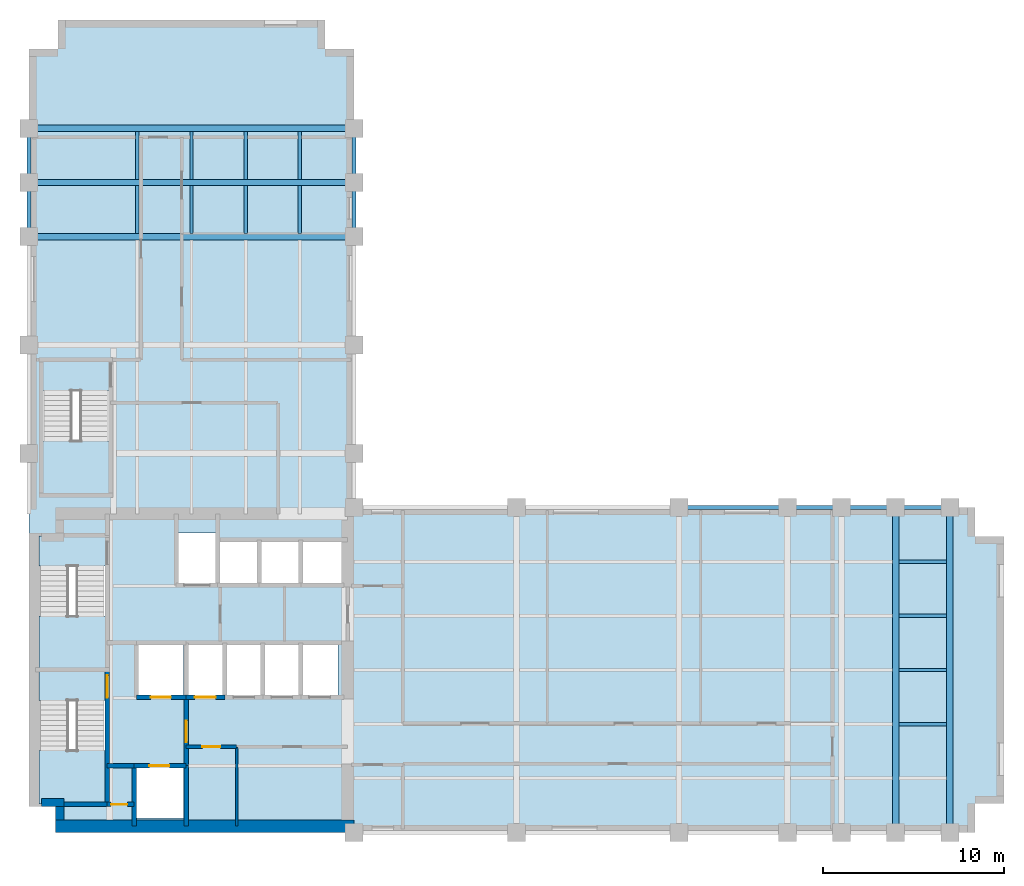
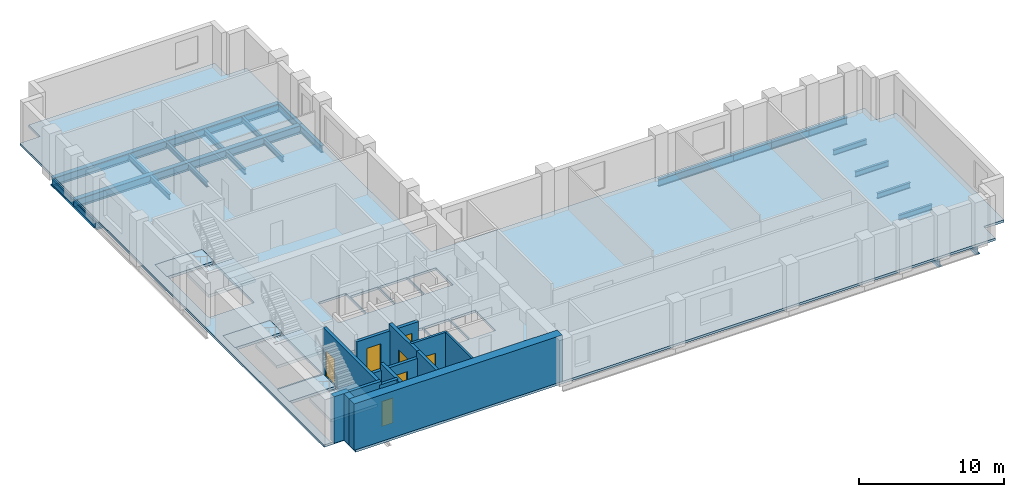
# One storey, part 2 of 7: 25 beams, 15 walls, 7 doors, 7 slabs, 7 openings, 3 elements without a shape of their own.
"""IFC4 building model written with IfcOpenShell, lengths in metres."""

import ifcopenshell
import ifcopenshell.guid

model = None  # the IFC model being written
_history = None  # IfcOwnerHistory: only IFC2X3 demands one
_inside = {}  # id of a spatial element -> (the spatial element, [elements in it])
_under = {}  # id of a project, library or spatial element -> (it, [spatial elements below it])
_declared = {}  # id of a project -> (the project, [libraries it declares])
_typed = {}  # id of a type object -> (the type object, [elements of that type])
_made_of = {}  # id of a material, layer set ... -> (it, [elements and type objects made of it])


def new_model(schema):
    """Start an empty IFC model of exactly this schema.

    Asked for "IFC4X3", IfcOpenShell would pick the latest addendum, in which some entities
    have other attributes; the version numbers below select the first issue.
    IFC2X3 requires an IfcOwnerHistory on every rooted entity: one is made here for all.
    """
    global model, _history
    if schema == "IFC4X3":
        model = ifcopenshell.file(schema_version=(4, 3, 0, 0))
    else:
        model = ifcopenshell.file(schema=schema)
    _inside.clear()
    _under.clear()
    _declared.clear()
    _typed.clear()
    _made_of.clear()
    _history = None
    if model.schema == "IFC2X3":
        org = make("IfcOrganization", Name="unknown")
        user = make(
            "IfcPersonAndOrganization",
            ThePerson=make("IfcPerson", FamilyName="unknown"),
            TheOrganization=org,
        )
        app = make(
            "IfcApplication",
            ApplicationDeveloper=org,
            Version="unknown",
            ApplicationFullName="unknown",
            ApplicationIdentifier="unknown",
        )
        _history = make(
            "IfcOwnerHistory",
            OwningUser=user,
            OwningApplication=app,
            ChangeAction="ADDED",
            CreationDate=0,
        )
    return model


def make(cls, **values):
    """One entity of the class cls with the attributes given. An attribute that is None is left unset."""
    return model.create_entity(
        cls, **{name: value for name, value in values.items() if value is not None}
    )


def rooted(cls, **values):
    """An entity with a GlobalId (a new one), such as an element, a storey or a relation."""
    return make(cls, GlobalId=ifcopenshell.guid.new(), OwnerHistory=_history, **values)


def si_unit(unit_type, name, prefix=None):
    """IfcSIUnit, for example si_unit("LENGTHUNIT", "METRE", prefix="MILLI")."""
    return make("IfcSIUnit", UnitType=unit_type, Prefix=prefix, Name=name)


def assignment(units):
    """IfcUnitAssignment: the units of a project."""
    return None if units is None else make("IfcUnitAssignment", Units=units)


def point(xyz):
    """IfcCartesianPoint."""
    return None if xyz is None else make("IfcCartesianPoint", Coordinates=xyz)


def direction(xyz):
    """IfcDirection."""
    return None if xyz is None else make("IfcDirection", DirectionRatios=xyz)


def frame(location, z_axis=None, x_axis=None):
    """IfcAxis2Placement3D, a coordinate frame: its origin and axes. An axis left out is left unset."""
    return make(
        "IfcAxis2Placement3D",
        Location=point(location),
        Axis=direction(z_axis),
        RefDirection=direction(x_axis),
    )


def frame_2d(location, x_axis=None):
    """IfcAxis2Placement2D, a coordinate frame in the plane: its origin and x axis."""
    return make(
        "IfcAxis2Placement2D", Location=point(location), RefDirection=direction(x_axis)
    )


def origin():
    """The frame at (0, 0, 0) with its axes left unset."""
    return frame((0.0, 0.0, 0.0))


def origin_2d():
    """The frame at (0, 0) in the plane with its x axis left unset."""
    return frame_2d((0.0, 0.0))


def place(relative_to, where):
    """IfcLocalPlacement: puts the frame where relative to a parent placement (None: the world)."""
    return make(
        "IfcLocalPlacement", PlacementRelTo=relative_to, RelativePlacement=where
    )


def context(
    kind, dimensions, precision=None, world=None, true_north=None, identifier=None
):
    """IfcGeometricRepresentationContext, for example the 3D "Model" context."""
    return make(
        "IfcGeometricRepresentationContext",
        ContextIdentifier=identifier,
        ContextType=kind,
        CoordinateSpaceDimension=dimensions,
        Precision=precision,
        WorldCoordinateSystem=world,
        TrueNorth=true_north,
    )


def subcontext(parent, identifier, kind, view, scale=None):
    """IfcGeometricRepresentationSubContext, for example "Body" below "Model"."""
    return make(
        "IfcGeometricRepresentationSubContext",
        ContextIdentifier=identifier,
        ContextType=kind,
        ParentContext=parent,
        TargetScale=scale,
        TargetView=view,
    )


def project(units=None, contexts=None):
    """IfcProject with its units and contexts."""
    return rooted(
        "IfcProject",
        Name="project",
        RepresentationContexts=contexts,
        UnitsInContext=assignment(units),
    )


def spatial(cls, under=None, at=None, **own):
    """A site, building, storey or space (cls), placed at a placement, below another one or the project."""
    s = rooted(cls, ObjectPlacement=at, **own)
    if under is not None:
        _under.setdefault(under.id(), (under, []))[1].append(s)
    return s


def polyline(points):
    """IfcPolyline through the points."""
    return make("IfcPolyline", Points=[point(p) for p in points])


def profile(cls, at=None, kind="AREA", **sizes):
    """A parametric profile (cls). Its sizes go by their IFC names, for example OverallWidth=200.0."""
    return make(cls, ProfileType=kind, Position=at, **sizes)


def rectangle(**sizes):
    """IfcRectangleProfileDef."""
    return profile("IfcRectangleProfileDef", **sizes)


def i_section(**sizes):
    """IfcIShapeProfileDef."""
    return profile("IfcIShapeProfileDef", **sizes)


def outline(outer, holes=None, kind="AREA"):
    """IfcArbitraryClosedProfileDef: a profile drawn as a closed curve; with holes, ...WithVoids."""
    if holes is None:
        return make("IfcArbitraryClosedProfileDef", ProfileType=kind, OuterCurve=outer)
    return make(
        "IfcArbitraryProfileDefWithVoids",
        ProfileType=kind,
        OuterCurve=outer,
        InnerCurves=holes,
    )


def extrude(swept, where, along, depth):
    """IfcExtrudedAreaSolid: the profile swept, set in the frame where, extruded along a direction by depth."""
    return make(
        "IfcExtrudedAreaSolid",
        SweptArea=swept,
        Position=where,
        ExtrudedDirection=direction(along),
        Depth=depth,
    )


def shape(context_of_items, identifier, shape_type, items):
    """IfcShapeRepresentation: the items that make up one representation, for example the "Body"."""
    return make(
        "IfcShapeRepresentation",
        ContextOfItems=context_of_items,
        RepresentationIdentifier=identifier,
        RepresentationType=shape_type,
        Items=items,
    )


def material(Name=None, Category=None):
    """IfcMaterial."""
    return make("IfcMaterial", Name=Name, Category=Category)


def layer(
    of_material, thickness, ventilated=None, Name=None, Category=None, Priority=None
):
    """IfcMaterialLayer: one layer of a wall or slab, of a material (None: an air gap)."""
    return make(
        "IfcMaterialLayer",
        Material=of_material,
        LayerThickness=thickness,
        IsVentilated=ventilated,
        Name=Name,
        Category=Category,
        Priority=Priority,
    )


def layer_set(layers, Name=None):
    """IfcMaterialLayerSet."""
    return make("IfcMaterialLayerSet", MaterialLayers=layers, LayerSetName=Name)


def material_profile(
    of_material, cross_section, Name=None, Category=None, Priority=None
):
    """IfcMaterialProfile: a cross section and its material."""
    return make(
        "IfcMaterialProfile",
        Name=Name,
        Material=of_material,
        Profile=cross_section,
        Priority=Priority,
        Category=Category,
    )


def profile_set(profiles, Name=None, composite=None):
    """IfcMaterialProfileSet."""
    return make(
        "IfcMaterialProfileSet",
        Name=Name,
        MaterialProfiles=profiles,
        CompositeProfile=composite,
    )


def made_of(thing, what):
    """Note that an element or type object is made of a material, layer set ...; save() writes the relation."""
    if what is not None:
        _made_of.setdefault(what.id(), (what, []))[1].append(thing)
    return thing


def type_object(cls, material=None, **own):
    """A type object (cls), such as IfcWallType, which elements share."""
    return made_of(rooted(cls, **own), material)


def element(
    cls,
    number,
    at=None,
    inside=None,
    cuts=None,
    type_object=None,
    material=None,
    context=None,
    identifier="Body",
    shape_type=None,
    held_by="IfcProductDefinitionShape",
    body=None,
    shapes=None,
    **own,
):
    """One element of the class cls, such as IfcWall. Its Tag is "e" and its number.

    at: its placement. inside: the storey or other place that contains it. cuts: it is an
    opening in that element (IfcRelVoidsElement). A single representation is given by context,
    identifier, shape_type and body (its items); several are given by shapes. held_by: the class
    of the entity that holds the representations. save() writes the other relations.
    """
    e = rooted(cls, Tag="e%d" % number, ObjectPlacement=at, **own)
    if body is not None:
        shapes = [shape(context, identifier, shape_type, body)]
    if shapes is not None:
        e.Representation = make(held_by, Representations=shapes)
    if inside is not None:
        _inside.setdefault(inside.id(), (inside, []))[1].append(e)
    if cuts is not None:
        rooted(
            "IfcRelVoidsElement", RelatingBuildingElement=cuts, RelatedOpeningElement=e
        )
    if type_object is not None:
        _typed.setdefault(type_object.id(), (type_object, []))[1].append(e)
    return made_of(e, material)


def fill(opening, filler):
    """IfcRelFillsElement: the door or window that sits in an opening."""
    return rooted(
        "IfcRelFillsElement",
        RelatingOpeningElement=opening,
        RelatedBuildingElement=filler,
    )


def aggregate(whole, parts):
    """IfcRelAggregates: a whole, such as a stair, and the parts it consists of."""
    return rooted("IfcRelAggregates", RelatingObject=whole, RelatedObjects=parts)


def save(model, path):
    """Write the relations noted so far, then the file.

    IfcRelAggregates (storeys below a building ...), IfcRelContainedInSpatialStructure (elements
    in a storey), IfcRelDefinesByType, IfcRelAssociatesMaterial and IfcRelDeclares: one each for
    every whole, place, type object, material and project.
    """
    for whole, parts in _under.values():
        aggregate(whole, parts)
    for where, things in _inside.values():
        rooted(
            "IfcRelContainedInSpatialStructure",
            RelatedElements=things,
            RelatingStructure=where,
        )
    for kind, things in _typed.values():
        rooted("IfcRelDefinesByType", RelatedObjects=things, RelatingType=kind)
    for what, things in _made_of.values():
        rooted("IfcRelAssociatesMaterial", RelatedObjects=things, RelatingMaterial=what)
    for by, libraries in _declared.values():
        rooted("IfcRelDeclares", RelatingContext=by, RelatedDefinitions=libraries)
    model.write(path)


model = new_model("IFC4")

# Units and contexts
model_context = context("Model", 3, precision=1e-05, world=origin(), true_north=direction((0.0, 1.0)))
body_context = subcontext(model_context, "Body", "Model", "MODEL_VIEW")
ifc_project = project(units=[si_unit("LENGTHUNIT", "METRE"), si_unit("AREAUNIT", "SQUARE_METRE"), si_unit("VOLUMEUNIT", "CUBIC_METRE"), si_unit("PLANEANGLEUNIT", "RADIAN"), si_unit("MASSUNIT", "GRAM", prefix="KILO")], contexts=[model_context])

# Site, building, storey
site_placement = place(None, origin())
site = spatial("IfcSite", under=ifc_project, at=site_placement, CompositionType="ELEMENT")
building_placement = place(site_placement, origin())
building = spatial("IfcBuilding", under=site, at=building_placement, Name="Mawjdan Bourse Tower", CompositionType="ELEMENT")
storey_placement = place(building_placement, frame((0.0, 0.0, 151.800048828125)))
storey = spatial("IfcBuildingStorey", under=building, at=storey_placement, Name="L36", CompositionType="ELEMENT", Elevation=151.800048828125)

# Beams
ifc_material_1 = material(Name="Structural Steel S355", Category="steel")
ifc_material_profile_1 = material_profile(ifc_material_1, i_section(OverallWidth=0.35498046875, OverallDepth=0.696044921875, WebThickness=0.015380859375, FlangeThickness=0.02490234375, FilletRadius=0.019775390625, at=origin_2d()), Name="W27X146")
ifc_profile_set_1 = profile_set([ifc_material_profile_1], Name="Structural Steel S355")
beam_type_1 = type_object("IfcBeamType", Name="GRD-W27X146", PredefinedType="BEAM", material=ifc_profile_set_1)
for number, where, z_axis, x_axis, name in (
    (1, (54.0, 3.0, -0.548095703125), (0.0, 1.0, 0.0), (-1.0, 0.0, 0.0), "L36 East Wing Clear-Span Girder 006"),
    (2, (57.0, 3.0, -0.548095703125), (0.0, 1.0, 0.0), (-1.0, 0.0, 0.0), "L36 East Wing Clear-Span Girder 007"),
    (3, (6.0, 36.0, -0.548095703125), (1.0, 0.0, 0.0), (0.0, 1.0, 0.0), "L36 North Wing Clear-Span Girder 057"),
    (4, (6.0, 39.0, -0.548095703125), (1.0, 0.0, 0.0), (0.0, 1.0, 0.0), "L36 North Wing Clear-Span Girder 058"),
    (5, (6.0, 42.0, -0.548095703125), (1.0, 0.0, 0.0), (0.0, 1.0, 0.0), "L36 North Wing Clear-Span Girder 059"),
):
    element("IfcBeam", number, at=place(storey_placement, frame(where, z_axis=z_axis, x_axis=x_axis)), inside=storey, type_object=beam_type_1, Name=name, PredefinedType="BEAM", context=body_context, shape_type="SweptSolid", body=[
        extrude(i_section(OverallWidth=0.35498046875, OverallDepth=0.696044921875, WebThickness=0.015380859375, FlangeThickness=0.02490234375, FilletRadius=0.019775390625, at=origin_2d()), origin(), (0.0, 0.0, 1.0), 18.0),
    ])
ifc_material_profile_2 = material_profile(ifc_material_1, i_section(OverallWidth=0.18994140625, OverallDepth=0.45703125, WebThickness=0.009033203125, FlangeThickness=0.014404296875, FilletRadius=0.01171875, at=origin_2d()), Name="W18X50")
ifc_profile_set_2 = profile_set([ifc_material_profile_2], Name="Structural Steel S355")
beam_type_2 = type_object("IfcBeamType", Name="JST-W18X50", PredefinedType="JOIST", material=ifc_profile_set_2)
for number, where, z_axis, x_axis, name in (
    (6, (54.175537109375, 9.0, -0.428466796875), (1.0, 0.0, 0.0), (0.0, 1.0, 0.0), "L36 East Wing Composite Joist 031"),
    (7, (54.175537109375, 12.0, -0.428466796875), (1.0, 0.0, 0.0), (0.0, 1.0, 0.0), "L36 East Wing Composite Joist 037"),
    (8, (54.175537109375, 15.0, -0.428466796875), (1.0, 0.0, 0.0), (0.0, 1.0, 0.0), "L36 East Wing Composite Joist 043"),
    (9, (54.175537109375, 18.0, -0.428466796875), (1.0, 0.0, 0.0), (0.0, 1.0, 0.0), "L36 East Wing Composite Joist 049"),
    (10, (12.0, 36.175537109375, -0.428466796875), (0.0, 1.0, 0.0), (-1.0, 0.0, 0.0), "L36 North Wing Composite Joist 073"),
    (11, (12.0, 39.175537109375, -0.428466796875), (0.0, 1.0, 0.0), (-1.0, 0.0, 0.0), "L36 North Wing Composite Joist 074"),
    (12, (15.0, 36.175537109375, -0.428466796875), (0.0, 1.0, 0.0), (-1.0, 0.0, 0.0), "L36 North Wing Composite Joist 078"),
    (13, (15.0, 39.175537109375, -0.428466796875), (0.0, 1.0, 0.0), (-1.0, 0.0, 0.0), "L36 North Wing Composite Joist 079"),
    (14, (18.0, 36.175537109375, -0.428466796875), (0.0, 1.0, 0.0), (-1.0, 0.0, 0.0), "L36 North Wing Composite Joist 083"),
    (15, (18.0, 39.175537109375, -0.428466796875), (0.0, 1.0, 0.0), (-1.0, 0.0, 0.0), "L36 North Wing Composite Joist 084"),
    (16, (21.0, 36.175537109375, -0.428466796875), (0.0, 1.0, 0.0), (-1.0, 0.0, 0.0), "L36 North Wing Composite Joist 088"),
    (17, (21.0, 39.175537109375, -0.428466796875), (0.0, 1.0, 0.0), (-1.0, 0.0, 0.0), "L36 North Wing Composite Joist 089"),
):
    element("IfcBeam", number, at=place(storey_placement, frame(where, z_axis=z_axis, x_axis=x_axis)), inside=storey, type_object=beam_type_2, Name=name, PredefinedType="JOIST", context=body_context, shape_type="SweptSolid", body=[
        extrude(i_section(OverallWidth=0.18994140625, OverallDepth=0.45703125, WebThickness=0.009033203125, FlangeThickness=0.014404296875, FilletRadius=0.01171875, at=origin_2d()), origin(), (0.0, 0.0, 1.0), 2.64892578125),
    ])
ifc_material_profile_3 = material_profile(ifc_material_1, i_section(OverallWidth=0.22998046875, OverallDepth=0.616943359375, WebThickness=0.01318359375, FlangeThickness=0.022216796875, FilletRadius=0.017822265625, at=origin_2d()), Name="W24X94")
ifc_profile_set_3 = profile_set([ifc_material_profile_3], Name="Structural Steel S355")
beam_type_3 = type_object("IfcBeamType", Name="SPN-W24X94", PredefinedType="SPANDREL", material=ifc_profile_set_3)
beam_placement = place(storey_placement, frame((42.0, 21.0, -0.508544921875), z_axis=(1.0, 0.0, 0.0), x_axis=(0.0, 1.0, 0.0)))
element("IfcBeam", 18, at=beam_placement, inside=storey, type_object=beam_type_3, Name="L36 Perimeter Masonry-Shelf Spandrel 016", PredefinedType="SPANDREL", context=body_context, shape_type="SweptSolid", body=[
    extrude(i_section(OverallWidth=0.22998046875, OverallDepth=0.616943359375, WebThickness=0.01318359375, FlangeThickness=0.022216796875, FilletRadius=0.017822265625, at=origin_2d()), origin(), (0.0, 0.0, 1.0), 6.0),
])
for number, where, z_axis, x_axis, name in (
    (19, (48.0, 21.0, -0.508544921875), (1.0, 0.0, 0.0), (0.0, 1.0, 0.0), "L36 Perimeter Masonry-Shelf Spandrel 017"),
    (20, (51.0, 21.0, -0.508544921875), (1.0, 0.0, 0.0), (0.0, 1.0, 0.0), "L36 Perimeter Masonry-Shelf Spandrel 018"),
    (21, (54.0, 21.0, -0.508544921875), (1.0, 0.0, 0.0), (0.0, 1.0, 0.0), "L36 Perimeter Masonry-Shelf Spandrel 019"),
    (22, (6.0, 36.0, -0.508544921875), (0.0, 1.0, 0.0), (-1.0, 0.0, 0.0), "L36 North Wing Spandrel 063"),
    (23, (6.0, 39.0, -0.508544921875), (0.0, 1.0, 0.0), (-1.0, 0.0, 0.0), "L36 North Wing Spandrel 064"),
    (24, (24.0, 36.0, -0.508544921875), (0.0, 1.0, 0.0), (-1.0, 0.0, 0.0), "L36 North Wing Spandrel 068"),
    (25, (24.0, 39.0, -0.508544921875), (0.0, 1.0, 0.0), (-1.0, 0.0, 0.0), "L36 North Wing Spandrel 069"),
):
    element("IfcBeam", number, at=place(storey_placement, frame(where, z_axis=z_axis, x_axis=x_axis)), inside=storey, type_object=beam_type_3, Name=name, PredefinedType="SPANDREL", context=body_context, shape_type="SweptSolid", body=[
        extrude(i_section(OverallWidth=0.22998046875, OverallDepth=0.616943359375, WebThickness=0.01318359375, FlangeThickness=0.022216796875, FilletRadius=0.017822265625, at=origin_2d()), origin(), (0.0, 0.0, 1.0), 3.0),
    ])

# Stair, slabs
ifc_material_2 = material(Name="Concrete C50/60", Category="concrete")
stair_type = type_object("IfcStairType", Name="STR-CORE-1500", PredefinedType="HALF_TURN_STAIR", material=ifc_material_2)
stair_1_placement = place(storey_placement, origin())
stair_1 = element("IfcStair", 26, at=stair_1_placement, inside=storey, type_object=stair_type, Name="L36 Exit Stair 1 (Core South-West)", PredefinedType="HALF_TURN_STAIR")
ifc_layer_1 = layer(ifc_material_2, 0.22998046875)
ifc_layer_set_1 = layer_set([ifc_layer_1], Name="Concrete C50/60")
slab_type_1 = type_object("IfcSlabType", Name="SL-LND-230", PredefinedType="LANDING", material=ifc_layer_set_1)
slab_1_placement = place(storey_placement, frame((0.0, 0.0, -0.22998046875)))
slab_1 = element("IfcSlab", 27, at=slab_1_placement, type_object=slab_type_1, Name="ST1-L36 landing 1", PredefinedType="LANDING", context=body_context, shape_type="SweptSolid", body=[
    extrude(outline(polyline([(6.5400390625, 10.31005859375), (10.260009765625, 10.31005859375), (10.260009765625, 11.969970703125), (6.5400390625, 11.969970703125), (6.5400390625, 10.31005859375)])), origin(), (0.0, 0.0, 1.0), 0.22998046875),
])
slab_2_placement = place(storey_placement, frame((0.0, 0.0, 1.719970703125)))
slab_2 = element("IfcSlab", 28, at=slab_2_placement, type_object=slab_type_1, Name="ST1-L36 landing 2", PredefinedType="LANDING", context=body_context, shape_type="SweptSolid", body=[
    extrude(outline(polyline([(6.5400390625, 4.590087890625), (10.260009765625, 4.590087890625), (10.260009765625, 7.5400390625), (6.5400390625, 7.5400390625), (6.5400390625, 4.590087890625)])), origin(), (0.0, 0.0, 1.0), 0.22998046875),
])
aggregate(stair_1, [slab_1, slab_2])

stair_2_placement = place(storey_placement, origin())
stair_2 = element("IfcStair", 29, at=stair_2_placement, inside=storey, type_object=stair_type, Name="L36 Exit Stair 2 (Core North-West)", PredefinedType="HALF_TURN_STAIR")
slab_3_placement = place(storey_placement, frame((0.0, 0.0, -0.22998046875)))
slab_3 = element("IfcSlab", 30, at=slab_3_placement, type_object=slab_type_1, Name="ST2-L36 landing 1", PredefinedType="LANDING", context=body_context, shape_type="SweptSolid", body=[
    extrude(outline(polyline([(6.5400390625, 17.75), (10.260009765625, 17.75), (10.260009765625, 19.409912109375), (6.5400390625, 19.409912109375), (6.5400390625, 17.75)])), origin(), (0.0, 0.0, 1.0), 0.22998046875),
])
slab_4_placement = place(storey_placement, frame((0.0, 0.0, 1.719970703125)))
slab_4 = element("IfcSlab", 31, at=slab_4_placement, type_object=slab_type_1, Name="ST2-L36 landing 2", PredefinedType="LANDING", context=body_context, shape_type="SweptSolid", body=[
    extrude(outline(polyline([(6.5400390625, 12.030029296875), (10.260009765625, 12.030029296875), (10.260009765625, 14.97998046875), (6.5400390625, 14.97998046875), (6.5400390625, 12.030029296875)])), origin(), (0.0, 0.0, 1.0), 0.22998046875),
])
aggregate(stair_2, [slab_3, slab_4])

stair_3_placement = place(storey_placement, origin())
stair_3 = element("IfcStair", 32, at=stair_3_placement, inside=storey, type_object=stair_type, Name="L36 Exit Stair 3 (North Wing)", PredefinedType="HALF_TURN_STAIR")
slab_5_placement = place(storey_placement, frame((0.0, 0.0, -0.22998046875)))
slab_5 = element("IfcSlab", 33, at=slab_5_placement, type_object=slab_type_1, Name="ST3-L36 landing 1", PredefinedType="LANDING", context=body_context, shape_type="SweptSolid", body=[
    extrude(outline(polyline([(6.739990234375, 27.4599609375), (10.4599609375, 27.4599609375), (10.4599609375, 29.1201171875), (6.739990234375, 29.1201171875), (6.739990234375, 27.4599609375)])), origin(), (0.0, 0.0, 1.0), 0.22998046875),
])
slab_6_placement = place(storey_placement, frame((0.0, 0.0, 1.719970703125)))
slab_6 = element("IfcSlab", 34, at=slab_6_placement, type_object=slab_type_1, Name="ST3-L36 landing 2", PredefinedType="LANDING", context=body_context, shape_type="SweptSolid", body=[
    extrude(outline(polyline([(6.739990234375, 21.739990234375), (10.4599609375, 21.739990234375), (10.4599609375, 24.68994140625), (6.739990234375, 24.68994140625), (6.739990234375, 21.739990234375)])), origin(), (0.0, 0.0, 1.0), 0.22998046875),
])
aggregate(stair_3, [slab_5, slab_6])

# Slab
ifc_layer_2 = layer(ifc_material_2, 0.199951171875)
ifc_layer_set_2 = layer_set([ifc_layer_2], Name="Concrete C50/60")
slab_type_2 = type_object("IfcSlabType", Name="SL-OFC-200", PredefinedType="FLOOR", material=ifc_layer_set_2)
slab_7_placement = place(storey_placement, frame((0.0, 0.0, -0.199951171875)))
element("IfcSlab", 35, at=slab_7_placement, inside=storey, type_object=slab_type_2, Name="L36 Structural Floor Slab 1", PredefinedType="FLOOR", context=body_context, shape_type="SweptSolid", body=[
    extrude(outline(polyline([(7.60009765625, 3.0), (58.39990234375, 3.0), (58.39990234375, 4.60009765625), (60.0, 4.60009765625), (60.0, 19.39990234375), (58.39990234375, 19.39990234375), (58.39990234375, 21.0), (24.0, 21.0), (24.0, 46.39990234375), (22.39990234375, 46.39990234375), (22.39990234375, 48.0), (7.60009765625, 48.0), (7.60009765625, 46.39990234375), (6.0, 46.39990234375), (6.0, 4.60009765625), (7.60009765625, 4.60009765625), (7.60009765625, 3.0)]), holes=[polyline([(11.949951171875, 3.800048828125), (11.949951171875, 6.60009765625), (14.550048828125, 6.60009765625), (14.550048828125, 3.800048828125), (11.949951171875, 3.800048828125)]), polyline([(6.60009765625, 10.31005859375), (6.5400390625, 10.31005859375), (6.5400390625, 11.969970703125), (10.260009765625, 11.969970703125), (10.260009765625, 10.31005859375), (10.199951171875, 10.31005859375), (10.199951171875, 4.64990234375), (6.60009765625, 4.64990234375), (6.60009765625, 10.31005859375)]), polyline([(12.050048828125, 10.60009765625), (12.050048828125, 13.39990234375), (14.550048828125, 13.39990234375), (14.550048828125, 10.60009765625), (12.050048828125, 10.60009765625)]), polyline([(10.260009765625, 19.409912109375), (10.260009765625, 17.75), (10.199951171875, 17.75), (10.199951171875, 12.090087890625), (6.60009765625, 12.090087890625), (6.60009765625, 17.75), (6.5400390625, 17.75), (6.5400390625, 19.409912109375), (10.260009765625, 19.409912109375)]), polyline([(10.4599609375, 29.1201171875), (10.4599609375, 27.4599609375), (10.39990234375, 27.4599609375), (10.39990234375, 21.800048828125), (6.800048828125, 21.800048828125), (6.800048828125, 27.4599609375), (6.739990234375, 27.4599609375), (6.739990234375, 29.1201171875), (10.4599609375, 29.1201171875)]), polyline([(14.800048828125, 10.60009765625), (14.800048828125, 13.39990234375), (16.800048828125, 13.39990234375), (16.800048828125, 10.60009765625), (14.800048828125, 10.60009765625)]), polyline([(16.89990234375, 10.60009765625), (16.89990234375, 13.39990234375), (18.89990234375, 13.39990234375), (18.89990234375, 10.60009765625), (16.89990234375, 10.60009765625)]), polyline([(19.0, 10.60009765625), (19.0, 13.39990234375), (21.0, 13.39990234375), (21.0, 10.60009765625), (19.0, 10.60009765625)]), polyline([(21.10009765625, 10.60009765625), (21.10009765625, 13.39990234375), (23.10009765625, 13.39990234375), (23.10009765625, 10.60009765625), (21.10009765625, 10.60009765625)]), polyline([(16.5, 16.800048828125), (16.5, 19.14990234375), (18.699951171875, 19.14990234375), (18.699951171875, 16.800048828125), (16.5, 16.800048828125)]), polyline([(18.800048828125, 16.800048828125), (18.800048828125, 19.14990234375), (21.0, 19.14990234375), (21.0, 16.800048828125), (18.800048828125, 16.800048828125)]), polyline([(21.10009765625, 16.800048828125), (21.10009765625, 19.14990234375), (23.300048828125, 19.14990234375), (23.300048828125, 16.800048828125), (21.10009765625, 16.800048828125)]), polyline([(14.199951171875, 16.800048828125), (14.199951171875, 19.60009765625), (16.39990234375, 19.60009765625), (16.39990234375, 16.800048828125), (14.199951171875, 16.800048828125)])]), origin(), (0.0, 0.0, 1.0), 0.199951171875),
])

# Wall, opening, door
ifc_material_3 = material(Name="Gypsum Fireboard Assembly")
ifc_layer_3 = layer(ifc_material_3, 0.199951171875)
ifc_layer_set_3 = layer_set([ifc_layer_3], Name="Gypsum Fireboard Assembly")
wall_type_1 = type_object("IfcWallType", Name="WL-CMP-200", PredefinedType="PARTITIONING", material=ifc_layer_set_3)
wall_1_placement = place(storey_placement, frame((14.699951171875, 7.739990234375, 0.0), z_axis=(0.0, 0.0, 1.0), x_axis=(1.0, 0.0, 0.0)))
wall_1 = element("IfcWall", 36, at=wall_1_placement, inside=storey, type_object=wall_type_1, Name="L36 First Aid & Wellness Room North Wall", PredefinedType="PARTITIONING", context=body_context, shape_type="SweptSolid", body=[
    extrude(rectangle(XDim=2.800048828125, YDim=0.199951171875, at=frame_2d((1.39990234375, 0.0))), origin(), (0.0, 0.0, 1.0), 3.60986328125),
])
opening_1_placement = place(wall_1_placement, frame((0.89990234375, 0.0, 0.0)))
opening_1 = element("IfcOpeningElement", 37, at=opening_1_placement, cuts=wall_1, Name="Opening D-L36-10", PredefinedType="OPENING", context=body_context, shape_type="SweptSolid", body=[
    extrude(rectangle(XDim=1.0, YDim=2.14990234375, at=frame_2d((0.5, 1.074951171875))), frame((0.0, 0.10986328125, 0.0), z_axis=(0.0, -1.0, 0.0), x_axis=(1.0, 0.0, 0.0)), (0.0, 0.0, 1.0), 0.219970703125),
])
ifc_material_4 = material(Name="Hardwood Acoustic Leaf", Category="wood")
door_type_1 = type_object("IfcDoorType", Name="DR-OFC-1000", OperationType="NOTDEFINED", PredefinedType="DOOR", material=ifc_material_4)
door_1_placement = place(opening_1_placement, origin())
door_1 = element("IfcDoor", 38, at=door_1_placement, inside=storey, type_object=door_type_1, Name="L36 First Aid & Wellness Room Door D-L36-10", OperationType="SINGLE_SWING_LEFT", OverallHeight=2.14990234375, OverallWidth=1.0, PredefinedType="DOOR", context=body_context, shape_type="SweptSolid", body=[
    extrude(rectangle(XDim=1.0, YDim=2.14990234375, at=frame_2d((0.5, 1.074951171875))), frame((0.0, 0.02490234375, 0.0), z_axis=(0.0, -1.0, 0.0), x_axis=(1.0, 0.0, 0.0)), (0.0, 0.0, 1.0), 0.050048828125),
])
fill(opening_1, door_1)

# Walls
ifc_material_5 = material(Name="Concrete C60/75", Category="concrete")
ifc_layer_4 = layer(ifc_material_5, 0.449951171875)
ifc_layer_set_4 = layer_set([ifc_layer_4], Name="Concrete C60/75")
wall_type_2 = type_object("IfcWallType", Name="WL-CORE-450", PredefinedType="SHEAR", material=ifc_layer_set_4)
wall_2_placement = place(storey_placement, frame((6.699951171875, 4.64990234375, 0.0), z_axis=(0.0, 0.0, 1.0), x_axis=(1.0, 0.0, 0.0)))
element("IfcWall", 39, at=wall_2_placement, inside=storey, type_object=wall_type_2, Name="L36 Rear Core Shear Wall SW-X", PredefinedType="SHEAR", context=body_context, shape_type="SweptSolid", body=[
    extrude(rectangle(XDim=1.22509765625, YDim=0.449951171875, at=frame_2d((0.612548828125, 0.0))), origin(), (0.0, 0.0, 1.0), 3.89990234375),
])
wall_3_placement = place(storey_placement, frame((7.699951171875, 3.699951171875, 0.0), z_axis=(0.0, 0.0, 1.0), x_axis=(0.0, 1.0, 0.0)))
element("IfcWall", 40, at=wall_3_placement, inside=storey, type_object=wall_type_2, Name="L36 Rear Core Shear Wall SW-Y", PredefinedType="SHEAR", context=body_context, shape_type="SweptSolid", body=[
    extrude(rectangle(XDim=0.72509765625, YDim=0.449951171875, at=frame_2d((0.362548828125, 0.0))), origin(), (0.0, 0.0, 1.0), 3.89990234375),
])
ifc_material_6 = material(Name="Concrete C70/85", Category="concrete")
ifc_layer_5 = layer(ifc_material_6, 0.699951171875)
ifc_layer_set_5 = layer_set([ifc_layer_5], Name="Concrete C70/85")
wall_type_3 = type_object("IfcWallType", Name="WL-CORE-700", PredefinedType="SHEAR", material=ifc_layer_set_5)
wall_4_placement = place(storey_placement, frame((7.47509765625, 3.35009765625, 0.0), z_axis=(0.0, 0.0, 1.0), x_axis=(1.0, 0.0, 0.0)))
element("IfcWall", 41, at=wall_4_placement, inside=storey, type_object=wall_type_3, Name="L36 Rear Core Shear Wall S", PredefinedType="SHEAR", context=body_context, shape_type="SweptSolid", body=[
    extrude(rectangle(XDim=16.52490234375, YDim=0.699951171875, at=frame_2d((8.262451171875, 0.0))), origin(), (0.0, 0.0, 1.0), 3.89990234375),
])
ifc_material_7 = material(Name="Gypsum Acoustic Partition")
ifc_layer_6 = layer(ifc_material_7, 0.14990234375)
ifc_layer_set_6 = layer_set([ifc_layer_6], Name="Gypsum Acoustic Partition")
wall_type_4 = type_object("IfcWallType", Name="WL-PRT-150", PredefinedType="PARTITIONING", material=ifc_layer_set_6)
wall_5_placement = place(storey_placement, frame((17.5, 3.35009765625, 0.0), z_axis=(0.0, 0.0, 1.0), x_axis=(0.0, 1.0, 0.0)))
element("IfcWall", 42, at=wall_5_placement, inside=storey, type_object=wall_type_4, Name="L36 Reprographics & Pantry Suite Core Split Wall", PredefinedType="PARTITIONING", context=body_context, shape_type="SweptSolid", body=[
    extrude(rectangle(XDim=4.389892578125, YDim=0.14990234375, at=frame_2d((2.19482421875, 0.0))), origin(), (0.0, 0.0, 1.0), 3.60986328125),
])

# Wall, opening, door
ifc_layer_7 = layer(ifc_material_2, 0.25)
ifc_layer_set_7 = layer_set([ifc_layer_7], Name="Concrete C50/60")
wall_type_5 = type_object("IfcWallType", Name="WL-SHFT-250", PredefinedType="PARTITIONING", material=ifc_layer_set_7)
wall_6_placement = place(storey_placement, frame((10.330078125, 4.550048828125, 0.0), z_axis=(0.0, 0.0, 1.0), x_axis=(1.0, 0.0, 0.0)))
wall_6 = element("IfcWall", 43, at=wall_6_placement, inside=storey, type_object=wall_type_5, Name="L36 SW Riser North Wall", PredefinedType="PARTITIONING", context=body_context, shape_type="SweptSolid", body=[
    extrude(rectangle(XDim=1.489990234375, YDim=0.25, at=frame_2d((0.7451171875, 0.0))), origin(), (0.0, 0.0, 1.0), 3.60986328125),
])
opening_2_placement = place(wall_6_placement, frame((0.219970703125, 0.0, 0.0)))
opening_2 = element("IfcOpeningElement", 44, at=opening_2_placement, cuts=wall_6, Name="Opening RD-L36-03", PredefinedType="OPENING", context=body_context, shape_type="SweptSolid", body=[
    extrude(rectangle(XDim=0.89990234375, YDim=2.10009765625, at=frame_2d((0.449951171875, 1.050048828125))), frame((0.0, 0.135009765625, 0.0), z_axis=(0.0, -1.0, 0.0), x_axis=(1.0, 0.0, 0.0)), (0.0, 0.0, 1.0), 0.27001953125),
])
ifc_material_8 = material(Name="Fire-Rated Steel Access Leaf", Category="steel")
door_type_2 = type_object("IfcDoorType", Name="FD-RSR-0900", OperationType="NOTDEFINED", PredefinedType="TRAPDOOR", material=ifc_material_8)
door_2_placement = place(opening_2_placement, origin())
door_2 = element("IfcDoor", 45, at=door_2_placement, inside=storey, type_object=door_type_2, Name="L36 Electrical Riser Access Door RD-L36-03", OperationType="SINGLE_SWING_LEFT", OverallHeight=2.10009765625, OverallWidth=0.89990234375, PredefinedType="TRAPDOOR", context=body_context, shape_type="SweptSolid", body=[
    extrude(rectangle(XDim=0.89990234375, YDim=2.10009765625, at=frame_2d((0.449951171875, 1.050048828125))), frame((0.0, 0.02490234375, 0.0), z_axis=(0.0, -1.0, 0.0), x_axis=(1.0, 0.0, 0.0)), (0.0, 0.0, 1.0), 0.050048828125),
])
fill(opening_2, door_2)

# Wall
wall_7_placement = place(storey_placement, frame((11.820068359375, 3.35009765625, 0.0), z_axis=(0.0, 0.0, 1.0), x_axis=(0.0, 1.0, 0.0)))
element("IfcWall", 46, at=wall_7_placement, inside=storey, type_object=wall_type_5, Name="L36 SW Riser & FFL01 West Wall", PredefinedType="PARTITIONING", context=body_context, shape_type="SweptSolid", body=[
    extrude(rectangle(XDim=3.349853515625, YDim=0.25, at=frame_2d((1.6748046875, 0.0))), origin(), (0.0, 0.0, 1.0), 3.60986328125),
])

# Wall, opening, door
wall_8_placement = place(storey_placement, frame((11.820068359375, 6.699951171875, 0.0), z_axis=(0.0, 0.0, 1.0), x_axis=(1.0, 0.0, 0.0)))
wall_8 = element("IfcWall", 47, at=wall_8_placement, inside=storey, type_object=wall_type_5, Name="L36 FFL-01 Front Shaft Wall", PredefinedType="PARTITIONING", context=body_context, shape_type="SweptSolid", body=[
    extrude(rectangle(XDim=2.8798828125, YDim=0.25, at=frame_2d((1.43994140625, 0.0))), origin(), (0.0, 0.0, 1.0), 3.06591796875),
])
opening_3_placement = place(wall_8_placement, frame((0.85009765625, 0.0, 0.0)))
opening_3 = element("IfcOpeningElement", 48, at=opening_3_placement, cuts=wall_8, Name="Opening LD-L36-05", PredefinedType="OPENING", context=body_context, shape_type="SweptSolid", body=[
    extrude(rectangle(XDim=1.10009765625, YDim=2.25, at=frame_2d((0.550048828125, 1.125))), frame((0.0, 0.135009765625, 0.0), z_axis=(0.0, -1.0, 0.0), x_axis=(1.0, 0.0, 0.0)), (0.0, 0.0, 1.0), 0.27001953125),
])
ifc_material_9 = material(Name="Brushed Stainless Steel", Category="steel")
door_type_3 = type_object("IfcDoorType", Name="LD-FFL-1100", OperationType="DOUBLE_DOOR_SLIDING", PredefinedType="DOOR", material=ifc_material_9)
door_3_placement = place(opening_3_placement, origin())
door_3 = element("IfcDoor", 49, at=door_3_placement, inside=storey, type_object=door_type_3, Name="L36 Firefighting Lift FFL-01 Landing Door LD-L36-05", OperationType="DOUBLE_DOOR_SLIDING", OverallHeight=2.25, OverallWidth=1.10009765625, PredefinedType="DOOR", context=body_context, shape_type="SweptSolid", body=[
    extrude(rectangle(XDim=1.10009765625, YDim=2.25, at=frame_2d((0.550048828125, 1.125))), frame((0.0, 0.02490234375, 0.0), z_axis=(0.0, -1.0, 0.0), x_axis=(1.0, 0.0, 0.0)), (0.0, 0.0, 1.0), 0.050048828125),
])
fill(opening_3, door_3)

# Wall
wall_9_placement = place(storey_placement, frame((14.699951171875, 3.35009765625, 0.0), z_axis=(0.0, 0.0, 1.0), x_axis=(0.0, 1.0, 0.0)))
element("IfcWall", 50, at=wall_9_placement, inside=storey, type_object=wall_type_5, Name="L36 FFL-01 East Shaft Wall", PredefinedType="PARTITIONING", context=body_context, shape_type="SweptSolid", body=[
    extrude(rectangle(XDim=3.349853515625, YDim=0.25, at=frame_2d((1.6748046875, 0.0))), origin(), (0.0, 0.0, 1.0), 3.60986328125),
])

# Wall, opening, door
wall_10_placement = place(storey_placement, frame((11.949951171875, 10.5, 0.0), z_axis=(0.0, 0.0, 1.0), x_axis=(1.0, 0.0, 0.0)))
wall_10 = element("IfcWall", 51, at=wall_10_placement, inside=storey, type_object=wall_type_5, Name="L36 FFL-02 Front Shaft Wall", PredefinedType="PARTITIONING", context=body_context, shape_type="SweptSolid", body=[
    extrude(rectangle(XDim=2.75, YDim=0.25, at=frame_2d((1.375, 0.0))), origin(), (0.0, 0.0, 1.0), 3.06591796875),
])
opening_4_placement = place(wall_10_placement, frame((0.800048828125, 0.0, 0.0)))
opening_4 = element("IfcOpeningElement", 52, at=opening_4_placement, cuts=wall_10, Name="Opening LD-L36-06", PredefinedType="OPENING", context=body_context, shape_type="SweptSolid", body=[
    extrude(rectangle(XDim=1.10009765625, YDim=2.25, at=frame_2d((0.550048828125, 1.125))), frame((0.0, 0.135009765625, 0.0), z_axis=(0.0, -1.0, 0.0), x_axis=(1.0, 0.0, 0.0)), (0.0, 0.0, 1.0), 0.27001953125),
])
door_4_placement = place(opening_4_placement, origin())
door_4 = element("IfcDoor", 53, at=door_4_placement, inside=storey, type_object=door_type_3, Name="L36 Firefighting Lift FFL-02 Landing Door LD-L36-06", OperationType="DOUBLE_DOOR_SLIDING", OverallHeight=2.25, OverallWidth=1.10009765625, PredefinedType="DOOR", context=body_context, shape_type="SweptSolid", body=[
    extrude(rectangle(XDim=1.10009765625, YDim=2.25, at=frame_2d((0.550048828125, 1.125))), frame((0.0, 0.02490234375, 0.0), z_axis=(0.0, -1.0, 0.0), x_axis=(1.0, 0.0, 0.0)), (0.0, 0.0, 1.0), 0.050048828125),
])
fill(opening_4, door_4)

wall_11_placement = place(storey_placement, frame((14.699951171875, 6.699951171875, 0.0), z_axis=(0.0, 0.0, 1.0), x_axis=(0.0, 1.0, 0.0)))
wall_11 = element("IfcWall", 54, at=wall_11_placement, inside=storey, type_object=wall_type_5, Name="L36 Firefighting Lobby East Compartment Wall", PredefinedType="PARTITIONING", context=body_context, shape_type="SweptSolid", body=[
    extrude(rectangle(XDim=3.800048828125, YDim=0.25, at=frame_2d((1.89990234375, 0.0))), origin(), (0.0, 0.0, 1.0), 3.60986328125),
])
opening_5_placement = place(wall_11_placement, frame((1.300048828125, 0.0, 0.0)))
opening_5 = element("IfcOpeningElement", 55, at=opening_5_placement, cuts=wall_11, Name="Opening FD-L36-07", PredefinedType="OPENING", context=body_context, shape_type="SweptSolid", body=[
    extrude(rectangle(XDim=1.199951171875, YDim=2.199951171875, at=frame_2d((0.60009765625, 1.10009765625))), frame((0.0, 0.135009765625, 0.0), z_axis=(0.0, -1.0, 0.0), x_axis=(1.0, 0.0, 0.0)), (0.0, 0.0, 1.0), 0.27001953125),
])
ifc_material_10 = material(Name="Fire-Rated Steel Leaf", Category="steel")
door_type_4 = type_object("IfcDoorType", Name="FD-FFL-1200", OperationType="NOTDEFINED", PredefinedType="DOOR", material=ifc_material_10)
door_5_placement = place(opening_5_placement, origin())
door_5 = element("IfcDoor", 56, at=door_5_placement, inside=storey, type_object=door_type_4, Name="L36 Firefighting Lobby East Smoke Door FD-L36-07", OperationType="SINGLE_SWING_LEFT", OverallHeight=2.199951171875, OverallWidth=1.199951171875, PredefinedType="DOOR", context=body_context, shape_type="SweptSolid", body=[
    extrude(rectangle(XDim=1.199951171875, YDim=2.199951171875, at=frame_2d((0.60009765625, 1.10009765625))), frame((0.0, 0.02490234375, 0.0), z_axis=(0.0, -1.0, 0.0), x_axis=(1.0, 0.0, 0.0)), (0.0, 0.0, 1.0), 0.050048828125),
])
fill(opening_5, door_5)

# Wall
wall_12_placement = place(storey_placement, frame((10.330078125, 6.699951171875, 0.0), z_axis=(0.0, 0.0, 1.0), x_axis=(1.0, 0.0, 0.0)))
element("IfcWall", 57, at=wall_12_placement, inside=storey, type_object=wall_type_5, Name="L36 Firefighting Lobby South Closure Wall", PredefinedType="PARTITIONING", context=body_context, shape_type="SweptSolid", body=[
    extrude(rectangle(XDim=1.489990234375, YDim=0.25, at=frame_2d((0.7451171875, 0.0))), origin(), (0.0, 0.0, 1.0), 3.06591796875),
])

# Wall, opening, door
wall_13_placement = place(storey_placement, frame((14.699951171875, 10.5, 0.0), z_axis=(0.0, 0.0, 1.0), x_axis=(1.0, 0.0, 0.0)))
wall_13 = element("IfcWall", 58, at=wall_13_placement, inside=storey, type_object=wall_type_5, Name="L36 PM-01 Front Wall", PredefinedType="PARTITIONING", context=body_context, shape_type="SweptSolid", body=[
    extrude(rectangle(XDim=2.150146484375, YDim=0.25, at=frame_2d((1.0751953125, 0.0))), origin(), (0.0, 0.0, 1.0), 3.06591796875),
])
opening_6_placement = place(wall_13_placement, frame((0.47998046875, 0.0, 0.0)))
opening_6 = element("IfcOpeningElement", 59, at=opening_6_placement, cuts=wall_13, Name="Opening LD-L36-12", PredefinedType="OPENING", context=body_context, shape_type="SweptSolid", body=[
    extrude(rectangle(XDim=1.14990234375, YDim=2.25, at=frame_2d((0.574951171875, 1.125))), frame((0.0, 0.135009765625, 0.0), z_axis=(0.0, -1.0, 0.0), x_axis=(1.0, 0.0, 0.0)), (0.0, 0.0, 1.0), 0.27001953125),
])
door_type_5 = type_object("IfcDoorType", Name="LD-PAS-1150", OperationType="DOUBLE_DOOR_SLIDING", PredefinedType="DOOR", material=ifc_material_9)
door_6_placement = place(opening_6_placement, origin())
door_6 = element("IfcDoor", 60, at=door_6_placement, inside=storey, type_object=door_type_5, Name="L36 Lift PM-01 Landing Door LD-L36-12", OperationType="DOUBLE_DOOR_SLIDING", OverallHeight=2.25, OverallWidth=1.14990234375, PredefinedType="DOOR", context=body_context, shape_type="SweptSolid", body=[
    extrude(rectangle(XDim=1.14990234375, YDim=2.25, at=frame_2d((0.574951171875, 1.125))), frame((0.0, 0.02490234375, 0.0), z_axis=(0.0, -1.0, 0.0), x_axis=(1.0, 0.0, 0.0)), (0.0, 0.0, 1.0), 0.050048828125),
])
fill(opening_6, door_6)

# Wall
ifc_layer_8 = layer(ifc_material_2, 0.25)
ifc_layer_set_8 = layer_set([ifc_layer_8], Name="Concrete C50/60")
wall_type_6 = type_object("IfcWallType", Name="WL-STRW-250", PredefinedType="SHEAR", material=ifc_layer_set_8)
wall_14_placement = place(storey_placement, frame((7.699951171875, 4.550048828125, 0.0), z_axis=(0.0, 0.0, 1.0), x_axis=(1.0, 0.0, 0.0)))
element("IfcWall", 61, at=wall_14_placement, inside=storey, type_object=wall_type_6, Name="L36 Stairwell ST1 South Shaft Wall", PredefinedType="SHEAR", context=body_context, shape_type="SweptSolid", body=[
    extrude(rectangle(XDim=2.755126953125, YDim=0.25, at=frame_2d((1.37744140625, 0.0))), origin(), (0.0, 0.0, 1.0), 3.89990234375),
])

# Wall, opening, door
wall_15_placement = place(storey_placement, frame((10.330078125, 4.550048828125, 0.0), z_axis=(0.0, 0.0, 1.0), x_axis=(0.0, 1.0, 0.0)))
wall_15 = element("IfcWall", 62, at=wall_15_placement, inside=storey, type_object=wall_type_6, Name="L36 Stairwell ST1 East Enclosure Wall", PredefinedType="SHEAR", context=body_context, shape_type="SweptSolid", body=[
    extrude(rectangle(XDim=7.449951171875, YDim=0.25, at=frame_2d((3.72509765625, 0.0))), origin(), (0.0, 0.0, 1.0), 3.89990234375),
])
opening_7_placement = place(wall_15_placement, frame((5.89990234375, 0.0, 0.0)))
opening_7 = element("IfcOpeningElement", 63, at=opening_7_placement, cuts=wall_15, Name="Opening SD-L36-01", PredefinedType="OPENING", context=body_context, shape_type="SweptSolid", body=[
    extrude(rectangle(XDim=1.25, YDim=2.199951171875, at=frame_2d((0.625, 1.10009765625))), frame((0.0, 0.135009765625, 0.0), z_axis=(0.0, -1.0, 0.0), x_axis=(1.0, 0.0, 0.0)), (0.0, 0.0, 1.0), 0.27001953125),
])
door_type_6 = type_object("IfcDoorType", Name="FD-ST-1250", OperationType="NOTDEFINED", PredefinedType="DOOR", material=ifc_material_10)
door_7_placement = place(opening_7_placement, origin())
door_7 = element("IfcDoor", 64, at=door_7_placement, inside=storey, type_object=door_type_6, Name="L36 Exit Stair ST1 Fire Door SD-L36-01", OperationType="SINGLE_SWING_LEFT", OverallHeight=2.199951171875, OverallWidth=1.25, PredefinedType="DOOR", context=body_context, shape_type="SweptSolid", body=[
    extrude(rectangle(XDim=1.25, YDim=2.199951171875, at=frame_2d((0.625, 1.10009765625))), frame((0.0, 0.02490234375, 0.0), z_axis=(0.0, -1.0, 0.0), x_axis=(1.0, 0.0, 0.0)), (0.0, 0.0, 1.0), 0.050048828125),
])
fill(opening_7, door_7)

save(model, "model.ifc")
